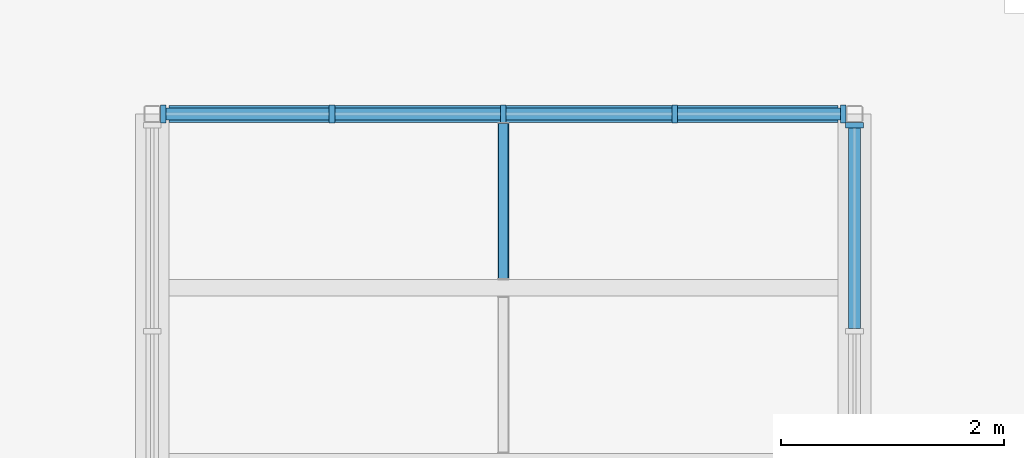
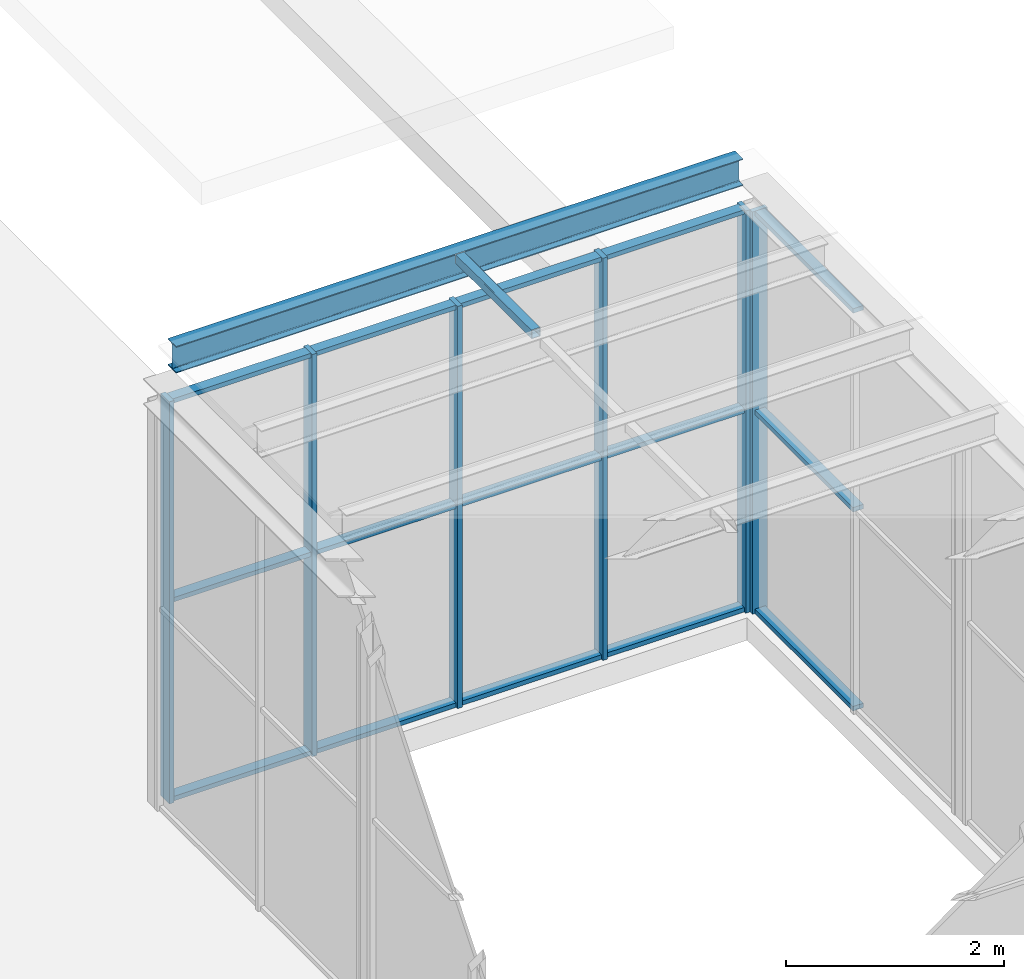
# One storey, part 9 of 25: 22 members, 1 beam, 2 elements without a shape of their own.
"""IFC4 building model written with IfcOpenShell, lengths in metres."""

from ifc_helpers import new_model, si_unit, direction, frame, origin, origin_2d, place, context, subcontext, project, spatial, rectangle, hollow_rectangle, i_section, extrude, material, layer, layer_set, material_profile, profile_set, type_object, element, aggregate, save


model = new_model("IFC4")

# Units and contexts
model_context = context("Model", 3, precision=1e-05, world=origin(), true_north=direction((0.0, 1.0)))
body_context = subcontext(model_context, "Body", "Model", "MODEL_VIEW")
ifc_project = project(units=[si_unit("LENGTHUNIT", "METRE"), si_unit("AREAUNIT", "SQUARE_METRE"), si_unit("VOLUMEUNIT", "CUBIC_METRE"), si_unit("PLANEANGLEUNIT", "RADIAN"), si_unit("MASSUNIT", "GRAM", prefix="KILO")], contexts=[model_context])

# Site, building, storey
site_placement = place(None, origin())
site = spatial("IfcSite", under=ifc_project, at=site_placement, CompositionType="ELEMENT")
building_placement = place(site_placement, origin())
building = spatial("IfcBuilding", under=site, at=building_placement, Name="Aurelan Courthouse", CompositionType="ELEMENT")
storey_placement = place(building_placement, frame((0.0, 0.0, 44.39990234375)))
storey = spatial("IfcBuildingStorey", under=building, at=storey_placement, Name="L08", CompositionType="ELEMENT", Elevation=44.39990234375)

# Curtain wall, member
ifc_material_1 = material(Name="Bronze-finished aluminium and glass", Category="aluminium")
ifc_layer_1 = layer(ifc_material_1, 0.14990234375)
ifc_layer_set_1 = layer_set([ifc_layer_1], Name="Bronze-finished aluminium and glass")
curtain_wall_type_1 = type_object("IfcCurtainWallType", Name="Lantern wall 3750 x 4500", PredefinedType="NOTDEFINED", material=ifc_layer_set_1)
curtain_wall_1_placement = place(storey_placement, origin())
curtain_wall_1 = element("IfcCurtainWall", 1, at=curtain_wall_1_placement, inside=storey, type_object=curtain_wall_type_1, Name="Curtain wall CW-L08-V2205", PredefinedType="NOTDEFINED")
ifc_material_2 = material(Name="Bronze-finished aluminium", Category="aluminium")
ifc_material_profile_1 = material_profile(ifc_material_2, rectangle(XDim=0.159912109375, YDim=0.050048828125, at=origin_2d()), Name="Lantern mullion 50 x 160")
ifc_profile_set_1 = profile_set([ifc_material_profile_1], Name="Bronze-finished aluminium")
member_type_1 = type_object("IfcMemberType", Name="Lantern mullion 50 x 160", PredefinedType="MULLION", material=ifc_profile_set_1)
member_1_placement = place(storey_placement, frame((61.64990234375, 52.550048828125, 0.0), z_axis=(0.0, 0.0, 1.0), x_axis=(-1.0, 0.0, 0.0)))
member_1 = element("IfcMember", 2, at=member_1_placement, type_object=member_type_1, Name="CW-L08-V2205 mullion 3", PredefinedType="MULLION", context=body_context, shape_type="SweptSolid", body=[
    extrude(rectangle(XDim=0.159912109375, YDim=0.050048828125, at=origin_2d()), origin(), (0.0, 0.0, 1.0), 4.5),
])

# Curtain wall, members
ifc_layer_2 = layer(ifc_material_1, 0.14990234375)
ifc_layer_set_2 = layer_set([ifc_layer_2], Name="Bronze-finished aluminium and glass")
curtain_wall_type_2 = type_object("IfcCurtainWallType", Name="Lantern wall 6150 x 4500", PredefinedType="NOTDEFINED", material=ifc_layer_set_2)
curtain_wall_2_placement = place(storey_placement, origin())
curtain_wall_2 = element("IfcCurtainWall", 3, at=curtain_wall_2_placement, inside=storey, type_object=curtain_wall_type_2, Name="Curtain wall CW-L08-V2206", PredefinedType="NOTDEFINED")
member_2_placement = place(storey_placement, frame((55.449951171875, 52.64990234375, 0.0), z_axis=(0.0, 0.0, 1.0), x_axis=(0.0, 1.0, 0.0)))
member_2 = element("IfcMember", 4, at=member_2_placement, type_object=member_type_1, Name="CW-L08-V2206 mullion 1", PredefinedType="MULLION", context=body_context, shape_type="SweptSolid", body=[
    extrude(rectangle(XDim=0.159912109375, YDim=0.050048828125, at=origin_2d()), origin(), (0.0, 0.0, 1.0), 4.5),
])
member_3_placement = place(storey_placement, frame((56.96240234375, 52.64990234375, 0.0), z_axis=(0.0, 0.0, 1.0), x_axis=(0.0, 1.0, 0.0)))
member_3 = element("IfcMember", 5, at=member_3_placement, type_object=member_type_1, Name="CW-L08-V2206 mullion 2", PredefinedType="MULLION", context=body_context, shape_type="SweptSolid", body=[
    extrude(rectangle(XDim=0.159912109375, YDim=0.050048828125, at=origin_2d()), origin(), (0.0, 0.0, 1.0), 4.5),
])
member_4_placement = place(storey_placement, frame((58.5, 52.64990234375, 0.0), z_axis=(0.0, 0.0, 1.0), x_axis=(0.0, 1.0, 0.0)))
member_4 = element("IfcMember", 6, at=member_4_placement, type_object=member_type_1, Name="CW-L08-V2206 mullion 3", PredefinedType="MULLION", context=body_context, shape_type="SweptSolid", body=[
    extrude(rectangle(XDim=0.159912109375, YDim=0.050048828125, at=origin_2d()), origin(), (0.0, 0.0, 1.0), 4.5),
])
member_5_placement = place(storey_placement, frame((60.03759765625, 52.64990234375, 0.0), z_axis=(0.0, 0.0, 1.0), x_axis=(0.0, 1.0, 0.0)))
member_5 = element("IfcMember", 7, at=member_5_placement, type_object=member_type_1, Name="CW-L08-V2206 mullion 4", PredefinedType="MULLION", context=body_context, shape_type="SweptSolid", body=[
    extrude(rectangle(XDim=0.159912109375, YDim=0.050048828125, at=origin_2d()), origin(), (0.0, 0.0, 1.0), 4.5),
])
member_6_placement = place(storey_placement, frame((61.550048828125, 52.64990234375, 0.0), z_axis=(0.0, 0.0, 1.0), x_axis=(0.0, 1.0, 0.0)))
member_6 = element("IfcMember", 8, at=member_6_placement, type_object=member_type_1, Name="CW-L08-V2206 mullion 5", PredefinedType="MULLION", context=body_context, shape_type="SweptSolid", body=[
    extrude(rectangle(XDim=0.159912109375, YDim=0.050048828125, at=origin_2d()), origin(), (0.0, 0.0, 1.0), 4.5),
])

# Member
ifc_material_3 = material(Name="Steel S355", Category="steel")
ifc_material_profile_2 = material_profile(ifc_material_3, hollow_rectangle(XDim=0.10009765625, YDim=0.10009765625, WallThickness=0.006103515625, InnerFilletRadius=0.006103515625, OuterFilletRadius=0.011962890625, at=origin_2d()), Name="SHS 100x100x6")
ifc_profile_set_2 = profile_set([ifc_material_profile_2], Name="Steel S355")
member_type_2 = type_object("IfcMemberType", Name="Lantern purlin SHS 100x100x6", PredefinedType="PURLIN", material=ifc_profile_set_2)
member_7_placement = place(storey_placement, frame((58.5, 51.175048828125, 5.0400390625), z_axis=(0.0, 1.0, 0.0), x_axis=(-1.0, 0.0, 0.0)))
element("IfcMember", 9, at=member_7_placement, inside=storey, type_object=member_type_2, Name="Lantern purlin LP-V22-0501", PredefinedType="PURLIN", context=body_context, shape_type="SweptSolid", body=[
    extrude(hollow_rectangle(XDim=0.10009765625, YDim=0.10009765625, WallThickness=0.006103515625, InnerFilletRadius=0.006103515625, OuterFilletRadius=0.011962890625, at=origin_2d()), origin(), (0.0, 0.0, 1.0), 1.389892578125),
])

# Beam
ifc_material_profile_3 = material_profile(ifc_material_3, i_section(OverallWidth=0.14990234375, OverallDepth=0.300048828125, WebThickness=0.007080078125, FlangeThickness=0.0107421875, FilletRadius=0.014892578125, at=origin_2d()), Name="IPE 300")
ifc_profile_set_3 = profile_set([ifc_material_profile_3], Name="Steel S355")
beam_type = type_object("IfcBeamType", Name="Lantern roof beam IPE 300", PredefinedType="BEAM", material=ifc_profile_set_3)
beam_placement = place(storey_placement, frame((55.5, 52.64990234375, 4.940185546875), z_axis=(1.0, 0.0, 0.0), x_axis=(0.0, 1.0, 0.0)))
element("IfcBeam", 10, at=beam_placement, inside=storey, type_object=beam_type, Name="Lantern roof beam LR-V22-06", PredefinedType="BEAM", context=body_context, shape_type="SweptSolid", body=[
    extrude(i_section(OverallWidth=0.14990234375, OverallDepth=0.300048828125, WebThickness=0.007080078125, FlangeThickness=0.0107421875, FilletRadius=0.014892578125, at=origin_2d()), origin(), (0.0, 0.0, 1.0), 6.0),
])

# Member
ifc_material_profile_4 = material_profile(ifc_material_2, rectangle(XDim=0.110107421875, YDim=0.050048828125, at=origin_2d()), Name="Lantern transom 50 x 110")
ifc_profile_set_4 = profile_set([ifc_material_profile_4], Name="Bronze-finished aluminium")
member_type_3 = type_object("IfcMemberType", Name="Lantern transom 50 x 110", PredefinedType="USERDEFINED", material=ifc_profile_set_4)
member_8_placement = place(storey_placement, frame((61.64990234375, 50.72509765625, 0.025146484375), z_axis=(0.0, 1.0, 0.0), x_axis=(-1.0, 0.0, 0.0)))
member_8 = element("IfcMember", 11, at=member_8_placement, type_object=member_type_3, Name="CW-L08-V2205 transom 2.1", ObjectType="TRANSOM", PredefinedType="USERDEFINED", context=body_context, shape_type="SweptSolid", body=[
    extrude(rectangle(XDim=0.110107421875, YDim=0.050048828125, at=origin_2d()), origin(), (0.0, 0.0, 1.0), 1.7998046875),
])

member_9_placement = place(storey_placement, frame((61.64990234375, 50.72509765625, 2.25), z_axis=(0.0, 1.0, 0.0), x_axis=(-1.0, 0.0, 0.0)))
member_9 = element("IfcMember", 12, at=member_9_placement, type_object=member_type_3, Name="CW-L08-V2205 transom 2.2", ObjectType="TRANSOM", PredefinedType="USERDEFINED", context=body_context, shape_type="SweptSolid", body=[
    extrude(rectangle(XDim=0.110107421875, YDim=0.050048828125, at=origin_2d()), origin(), (0.0, 0.0, 1.0), 1.7998046875),
])

member_10_placement = place(storey_placement, frame((61.64990234375, 50.72509765625, 4.47509765625), z_axis=(0.0, 1.0, 0.0), x_axis=(-1.0, 0.0, 0.0)))
member_10 = element("IfcMember", 13, at=member_10_placement, type_object=member_type_3, Name="CW-L08-V2205 transom 2.3", ObjectType="TRANSOM", PredefinedType="USERDEFINED", context=body_context, shape_type="SweptSolid", body=[
    extrude(rectangle(XDim=0.110107421875, YDim=0.050048828125, at=origin_2d()), origin(), (0.0, 0.0, 1.0), 1.7998046875),
])

aggregate(curtain_wall_1, [member_1, member_8, member_9, member_10])

member_11_placement = place(storey_placement, frame((55.47509765625, 52.64990234375, 0.025146484375), z_axis=(1.0, 0.0, 0.0), x_axis=(0.0, 1.0, 0.0)))
member_11 = element("IfcMember", 14, at=member_11_placement, type_object=member_type_3, Name="CW-L08-V2206 transom 1.1", ObjectType="TRANSOM", PredefinedType="USERDEFINED", context=body_context, shape_type="SweptSolid", body=[
    extrude(rectangle(XDim=0.110107421875, YDim=0.050048828125, at=origin_2d()), origin(), (0.0, 0.0, 1.0), 1.46240234375),
])

member_12_placement = place(storey_placement, frame((55.47509765625, 52.64990234375, 2.25), z_axis=(1.0, 0.0, 0.0), x_axis=(0.0, 1.0, 0.0)))
member_12 = element("IfcMember", 15, at=member_12_placement, type_object=member_type_3, Name="CW-L08-V2206 transom 1.2", ObjectType="TRANSOM", PredefinedType="USERDEFINED", context=body_context, shape_type="SweptSolid", body=[
    extrude(rectangle(XDim=0.110107421875, YDim=0.050048828125, at=origin_2d()), origin(), (0.0, 0.0, 1.0), 1.46240234375),
])

member_13_placement = place(storey_placement, frame((55.47509765625, 52.64990234375, 4.47509765625), z_axis=(1.0, 0.0, 0.0), x_axis=(0.0, 1.0, 0.0)))
member_13 = element("IfcMember", 16, at=member_13_placement, type_object=member_type_3, Name="CW-L08-V2206 transom 1.3", ObjectType="TRANSOM", PredefinedType="USERDEFINED", context=body_context, shape_type="SweptSolid", body=[
    extrude(rectangle(XDim=0.110107421875, YDim=0.050048828125, at=origin_2d()), origin(), (0.0, 0.0, 1.0), 1.46240234375),
])

member_14_placement = place(storey_placement, frame((56.987548828125, 52.64990234375, 0.025146484375), z_axis=(1.0, 0.0, 0.0), x_axis=(0.0, 1.0, 0.0)))
member_14 = element("IfcMember", 17, at=member_14_placement, type_object=member_type_3, Name="CW-L08-V2206 transom 2.1", ObjectType="TRANSOM", PredefinedType="USERDEFINED", context=body_context, shape_type="SweptSolid", body=[
    extrude(rectangle(XDim=0.110107421875, YDim=0.050048828125, at=origin_2d()), origin(), (0.0, 0.0, 1.0), 1.487548828125),
])

member_15_placement = place(storey_placement, frame((56.987548828125, 52.64990234375, 2.25), z_axis=(1.0, 0.0, 0.0), x_axis=(0.0, 1.0, 0.0)))
member_15 = element("IfcMember", 18, at=member_15_placement, type_object=member_type_3, Name="CW-L08-V2206 transom 2.2", ObjectType="TRANSOM", PredefinedType="USERDEFINED", context=body_context, shape_type="SweptSolid", body=[
    extrude(rectangle(XDim=0.110107421875, YDim=0.050048828125, at=origin_2d()), origin(), (0.0, 0.0, 1.0), 1.487548828125),
])

member_16_placement = place(storey_placement, frame((56.987548828125, 52.64990234375, 4.47509765625), z_axis=(1.0, 0.0, 0.0), x_axis=(0.0, 1.0, 0.0)))
member_16 = element("IfcMember", 19, at=member_16_placement, type_object=member_type_3, Name="CW-L08-V2206 transom 2.3", ObjectType="TRANSOM", PredefinedType="USERDEFINED", context=body_context, shape_type="SweptSolid", body=[
    extrude(rectangle(XDim=0.110107421875, YDim=0.050048828125, at=origin_2d()), origin(), (0.0, 0.0, 1.0), 1.487548828125),
])

member_17_placement = place(storey_placement, frame((58.52490234375, 52.64990234375, 0.025146484375), z_axis=(1.0, 0.0, 0.0), x_axis=(0.0, 1.0, 0.0)))
member_17 = element("IfcMember", 20, at=member_17_placement, type_object=member_type_3, Name="CW-L08-V2206 transom 3.1", ObjectType="TRANSOM", PredefinedType="USERDEFINED", context=body_context, shape_type="SweptSolid", body=[
    extrude(rectangle(XDim=0.110107421875, YDim=0.050048828125, at=origin_2d()), origin(), (0.0, 0.0, 1.0), 1.487548828125),
])

member_18_placement = place(storey_placement, frame((58.52490234375, 52.64990234375, 2.25), z_axis=(1.0, 0.0, 0.0), x_axis=(0.0, 1.0, 0.0)))
member_18 = element("IfcMember", 21, at=member_18_placement, type_object=member_type_3, Name="CW-L08-V2206 transom 3.2", ObjectType="TRANSOM", PredefinedType="USERDEFINED", context=body_context, shape_type="SweptSolid", body=[
    extrude(rectangle(XDim=0.110107421875, YDim=0.050048828125, at=origin_2d()), origin(), (0.0, 0.0, 1.0), 1.487548828125),
])

member_19_placement = place(storey_placement, frame((58.52490234375, 52.64990234375, 4.47509765625), z_axis=(1.0, 0.0, 0.0), x_axis=(0.0, 1.0, 0.0)))
member_19 = element("IfcMember", 22, at=member_19_placement, type_object=member_type_3, Name="CW-L08-V2206 transom 3.3", ObjectType="TRANSOM", PredefinedType="USERDEFINED", context=body_context, shape_type="SweptSolid", body=[
    extrude(rectangle(XDim=0.110107421875, YDim=0.050048828125, at=origin_2d()), origin(), (0.0, 0.0, 1.0), 1.487548828125),
])

member_20_placement = place(storey_placement, frame((60.0625, 52.64990234375, 0.025146484375), z_axis=(1.0, 0.0, 0.0), x_axis=(0.0, 1.0, 0.0)))
member_20 = element("IfcMember", 23, at=member_20_placement, type_object=member_type_3, Name="CW-L08-V2206 transom 4.1", ObjectType="TRANSOM", PredefinedType="USERDEFINED", context=body_context, shape_type="SweptSolid", body=[
    extrude(rectangle(XDim=0.110107421875, YDim=0.050048828125, at=origin_2d()), origin(), (0.0, 0.0, 1.0), 1.46240234375),
])

member_21_placement = place(storey_placement, frame((60.0625, 52.64990234375, 2.25), z_axis=(1.0, 0.0, 0.0), x_axis=(0.0, 1.0, 0.0)))
member_21 = element("IfcMember", 24, at=member_21_placement, type_object=member_type_3, Name="CW-L08-V2206 transom 4.2", ObjectType="TRANSOM", PredefinedType="USERDEFINED", context=body_context, shape_type="SweptSolid", body=[
    extrude(rectangle(XDim=0.110107421875, YDim=0.050048828125, at=origin_2d()), origin(), (0.0, 0.0, 1.0), 1.46240234375),
])

member_22_placement = place(storey_placement, frame((60.0625, 52.64990234375, 4.47509765625), z_axis=(1.0, 0.0, 0.0), x_axis=(0.0, 1.0, 0.0)))
member_22 = element("IfcMember", 25, at=member_22_placement, type_object=member_type_3, Name="CW-L08-V2206 transom 4.3", ObjectType="TRANSOM", PredefinedType="USERDEFINED", context=body_context, shape_type="SweptSolid", body=[
    extrude(rectangle(XDim=0.110107421875, YDim=0.050048828125, at=origin_2d()), origin(), (0.0, 0.0, 1.0), 1.46240234375),
])

aggregate(curtain_wall_2, [member_2, member_3, member_4, member_5, member_6, member_11, member_12, member_13, member_14, member_15, member_16, member_17, member_18, member_19, member_20, member_21, member_22])

save(model, "model.ifc")
